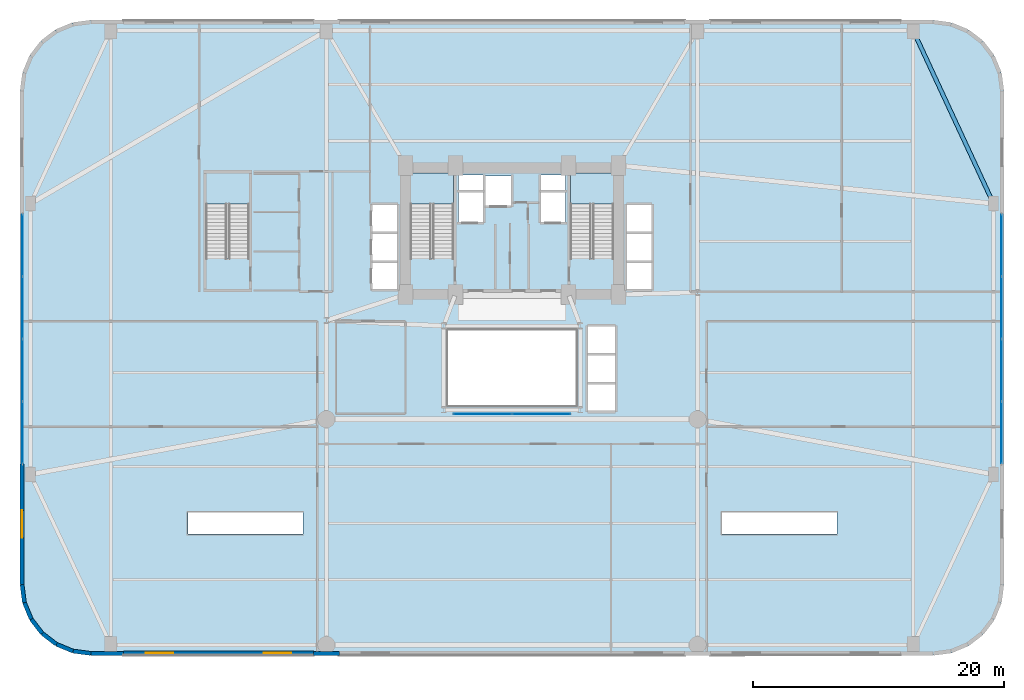
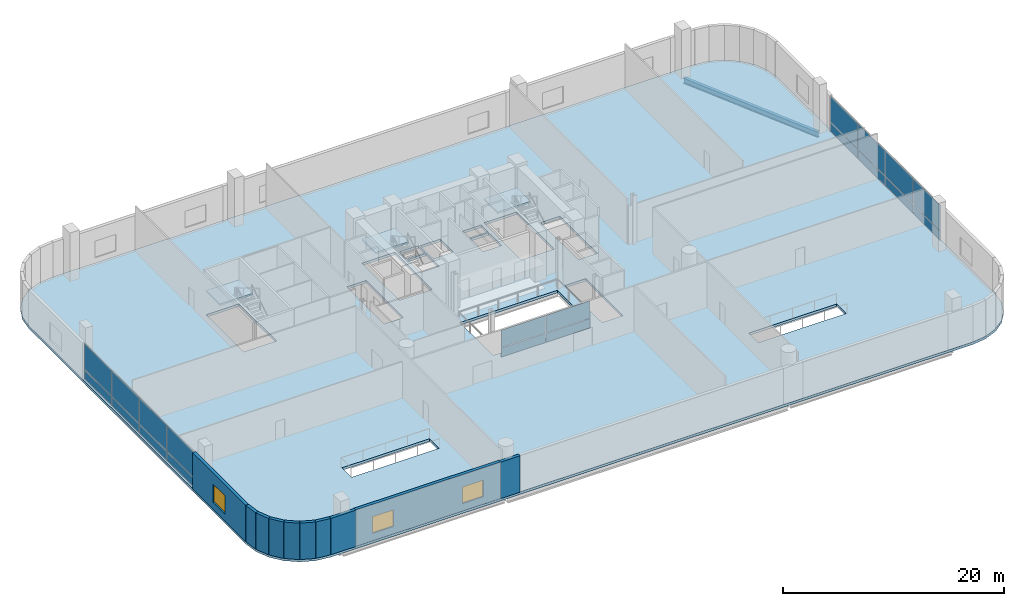
# One storey, part 21 of 31: 20 plates, 10 walls, 4 slabs, 3 windows, 1 beam, 3 openings, 6 elements without a shape of their own.
"""IFC4 building model written with IfcOpenShell, lengths in metres."""

from ifc_helpers import new_model, si_unit, direction, frame, frame_2d, origin, origin_2d, place, context, subcontext, project, spatial, polyline, rectangle, i_section, outline, extrude, source, transform, mapped, material, layer, layer_set, material_profile, profile_set, type_object, element, fill, aggregate, save


model = new_model("IFC4")

# Units and contexts
model_context = context("Model", 3, precision=1e-05, world=origin(), true_north=direction((0.0, 1.0)))
body_context = subcontext(model_context, "Body", "Model", "MODEL_VIEW")
ifc_project = project(units=[si_unit("LENGTHUNIT", "METRE"), si_unit("AREAUNIT", "SQUARE_METRE"), si_unit("VOLUMEUNIT", "CUBIC_METRE"), si_unit("PLANEANGLEUNIT", "RADIAN"), si_unit("MASSUNIT", "GRAM", prefix="KILO")], contexts=[model_context])

# Site, building, storey
site_placement = place(None, origin())
site = spatial("IfcSite", under=ifc_project, at=site_placement, CompositionType="ELEMENT")
building_placement = place(site_placement, origin())
building = spatial("IfcBuilding", under=site, at=building_placement, Name="Varnelok Gate Tower", CompositionType="ELEMENT")
storey_placement = place(building_placement, frame((0.0, 0.0, 16.199951171875)))
storey = spatial("IfcBuildingStorey", under=building, at=storey_placement, Name="L03", CompositionType="ELEMENT", Elevation=16.199951171875)

# Beam
ifc_material_1 = material(Name="Structural Steel ASTM A992 Grade 50", Category="steel")
ifc_material_profile = material_profile(ifc_material_1, i_section(OverallWidth=0.323974609375, OverallDepth=0.611083984375, WebThickness=0.0126953125, FlangeThickness=0.01904296875, FilletRadius=0.01806640625, at=origin_2d()), Name="W24X104")
ifc_profile_set = profile_set([ifc_material_profile], Name="Structural Steel ASTM A992 Grade 50")
beam_type = type_object("IfcBeamType", Name="BM-SPN-W24X104", PredefinedType="SPANDREL", material=ifc_profile_set)
beam_placement = place(storey_placement, frame((77.541015625, 36.126953125, -0.58544921875), z_axis=(-0.420722638096, 0.907189319709, 0.0), x_axis=(-0.907189319709, -0.420722638096, 0.0)))
element("IfcBeam", 1, at=beam_placement, inside=storey, type_object=beam_type, Name="L03 Podium Primary Girder 11", PredefinedType="SPANDREL", context=body_context, shape_type="SweptSolid", body=[
    extrude(i_section(OverallWidth=0.323974609375, OverallDepth=0.611083984375, WebThickness=0.0126953125, FlangeThickness=0.01904296875, FilletRadius=0.01806640625, at=origin_2d()), origin(), (0.0, 0.0, 1.0), 14.931884765625),
])

# Stair, slab
ifc_material_2 = material(Name="Concrete C50/60", Category="concrete")
stair_type = type_object("IfcStairType", Name="STR-CORE-1650", PredefinedType="HALF_TURN_STAIR", material=ifc_material_2)
stair_1_placement = place(storey_placement, origin())
stair_1 = element("IfcStair", 2, at=stair_1_placement, inside=storey, type_object=stair_type, Name="L03 Exit Stair ST-1", PredefinedType="HALF_TURN_STAIR")
ifc_material_3 = material(Name="Concrete C45/55", Category="concrete")
ifc_layer_1 = layer(ifc_material_3, 0.199951171875)
ifc_layer_set_1 = layer_set([ifc_layer_1], Name="Concrete C45/55")
slab_type_1 = type_object("IfcSlabType", Name="SLB-LAND-200", PredefinedType="LANDING", material=ifc_layer_set_1)
slab_1_placement = place(storey_placement, frame((0.0, 0.0, 2.5)))
slab_1 = element("IfcSlab", 3, at=slab_1_placement, type_object=slab_type_1, Name="ST-1 landing 1", PredefinedType="LANDING", context=body_context, shape_type="SweptSolid", body=[
    extrude(outline(polyline([(34.550048828125, 35.949951171875), (34.550048828125, 38.449951171875), (31.10009765625, 38.449951171875), (31.10009765625, 35.949951171875), (34.550048828125, 35.949951171875)])), origin(), (0.0, 0.0, 1.0), 0.199951171875),
])
aggregate(stair_1, [slab_1])

stair_2_placement = place(storey_placement, origin())
stair_2 = element("IfcStair", 4, at=stair_2_placement, inside=storey, type_object=stair_type, Name="L03 Exit Stair ST-2", PredefinedType="HALF_TURN_STAIR")
slab_2_placement = place(storey_placement, frame((0.0, 0.0, 2.5)))
slab_2 = element("IfcSlab", 5, at=slab_2_placement, type_object=slab_type_1, Name="ST-2 landing 1", PredefinedType="LANDING", context=body_context, shape_type="SweptSolid", body=[
    extrude(outline(polyline([(47.300048828125, 35.949951171875), (47.300048828125, 38.449951171875), (43.85009765625, 38.449951171875), (43.85009765625, 35.949951171875), (47.300048828125, 35.949951171875)])), origin(), (0.0, 0.0, 1.0), 0.199951171875),
])
aggregate(stair_2, [slab_2])

stair_3_placement = place(storey_placement, origin())
stair_3 = element("IfcStair", 6, at=stair_3_placement, inside=storey, type_object=stair_type, Name="L03 Podium Exit Stair ST-3", PredefinedType="HALF_TURN_STAIR")
slab_3_placement = place(storey_placement, frame((0.0, 0.0, 2.5)))
slab_3 = element("IfcSlab", 7, at=slab_3_placement, type_object=slab_type_1, Name="ST-3 landing 1", PredefinedType="LANDING", context=body_context, shape_type="SweptSolid", body=[
    extrude(outline(polyline([(18.25, 35.949951171875), (18.25, 38.449951171875), (14.800048828125, 38.449951171875), (14.800048828125, 35.949951171875), (18.25, 35.949951171875)])), origin(), (0.0, 0.0, 1.0), 0.199951171875),
])
aggregate(stair_3, [slab_3])

# Slab
ifc_layer_2 = layer(ifc_material_2, 0.280029296875)
ifc_layer_set_2 = layer_set([ifc_layer_2], Name="Concrete C50/60")
slab_type_2 = type_object("IfcSlabType", Name="SLB-POD-280", PredefinedType="FLOOR", material=ifc_layer_set_2)
slab_4_placement = place(storey_placement, frame((0.0, 0.0, -0.280029296875)))
element("IfcSlab", 8, at=slab_4_placement, inside=storey, type_object=slab_type_2, Name="L03 Structural Floor Slab", PredefinedType="FLOOR", context=body_context, shape_type="SweptSolid", body=[
    extrude(outline(polyline([(0.0, 5.60009765625), (0.19091796875, 4.150634765625), (0.750244140625, 2.800048828125), (1.64013671875, 1.64013671875), (2.800048828125, 0.750244140625), (4.150634765625, 0.19091796875), (5.60009765625, 0.0), (72.800048828125, 0.0), (74.24951171875, 0.19091796875), (75.60009765625, 0.750244140625), (76.759765625, 1.64013671875), (77.649658203125, 2.800048828125), (78.209228515625, 4.150634765625), (78.39990234375, 5.60009765625), (78.39990234375, 45.0), (78.209228515625, 46.449462890625), (77.649658203125, 47.800048828125), (76.759765625, 48.959716796875), (75.60009765625, 49.849609375), (74.24951171875, 50.4091796875), (72.800048828125, 50.60009765625), (5.60009765625, 50.60009765625), (4.150634765625, 50.4091796875), (2.800048828125, 49.849609375), (1.64013671875, 48.959716796875), (0.750244140625, 47.800048828125), (0.19091796875, 46.449462890625), (0.0, 45.0), (0.0, 5.60009765625)]), holes=[polyline([(34.550048828125, 31.679931640625), (34.550048828125, 38.449951171875), (31.10009765625, 38.449951171875), (31.10009765625, 31.679931640625), (34.550048828125, 31.679931640625)]), polyline([(47.300048828125, 31.679931640625), (47.300048828125, 38.449951171875), (43.85009765625, 38.449951171875), (43.85009765625, 31.679931640625), (47.300048828125, 31.679931640625)]), polyline([(18.25, 31.679931640625), (18.25, 38.449951171875), (14.800048828125, 38.449951171875), (14.800048828125, 31.679931640625), (18.25, 31.679931640625)]), polyline([(13.35009765625, 9.635009765625), (22.52001953125, 9.635009765625), (22.52001953125, 11.364990234375), (13.35009765625, 11.364990234375), (13.35009765625, 9.635009765625)]), polyline([(55.949951171875, 9.635009765625), (65.1201171875, 9.635009765625), (65.1201171875, 11.364990234375), (55.949951171875, 11.364990234375), (55.949951171875, 9.635009765625)]), polyline([(34.949951171875, 34.550048828125), (36.89990234375, 34.550048828125), (36.89990234375, 36.89990234375), (34.949951171875, 36.89990234375), (34.949951171875, 34.550048828125)]), polyline([(41.5, 34.550048828125), (43.449951171875, 34.550048828125), (43.449951171875, 36.89990234375), (41.5, 36.89990234375), (41.5, 34.550048828125)]), polyline([(37.050048828125, 35.85009765625), (39.14990234375, 35.85009765625), (39.14990234375, 38.199951171875), (37.050048828125, 38.199951171875), (37.050048828125, 35.85009765625)]), polyline([(28.050048828125, 29.14990234375), (30.050048828125, 29.14990234375), (30.050048828125, 35.89990234375), (28.050048828125, 35.89990234375), (28.050048828125, 29.14990234375)]), polyline([(48.35009765625, 29.14990234375), (50.35009765625, 29.14990234375), (50.35009765625, 35.89990234375), (48.35009765625, 35.89990234375), (48.35009765625, 29.14990234375)]), polyline([(45.25, 19.449951171875), (47.449951171875, 19.449951171875), (47.449951171875, 26.199951171875), (45.25, 26.199951171875), (45.25, 19.449951171875)]), polyline([(34.919921875, 37.080078125), (36.89990234375, 37.080078125), (36.89990234375, 38.280029296875), (34.919921875, 38.280029296875), (34.919921875, 37.080078125)]), polyline([(41.5, 37.080078125), (43.47998046875, 37.080078125), (43.47998046875, 38.280029296875), (41.5, 38.280029296875), (41.5, 37.080078125)]), polyline([(34.10009765625, 19.89990234375), (44.300048828125, 19.89990234375), (44.300048828125, 25.89990234375), (34.10009765625, 25.89990234375), (34.10009765625, 19.89990234375)])]), origin(), (0.0, 0.0, 1.0), 0.280029296875),
])

# Curtain wall, plates
ifc_material_4 = material(Name="Anodized Aluminum Alloy 6063-T6", Category="aluminium")
ifc_layer_3 = layer(ifc_material_4, 0.179931640625)
ifc_layer_set_3 = layer_set([ifc_layer_3], Name="Anodized Aluminum Alloy 6063-T6")
curtain_wall_type_1 = type_object("IfcCurtainWallType", Name="CW1-ARCH-PORTAL", PredefinedType="USERDEFINED", material=ifc_layer_set_3)
curtain_wall_1_placement = place(storey_placement, origin())
curtain_wall_1 = element("IfcCurtainWall", 9, at=curtain_wall_1_placement, inside=storey, type_object=curtain_wall_type_1, Name="L03 Podium Portal Curtain Wall W", ObjectType="UNITISED CURTAIN WALL", PredefinedType="USERDEFINED")
ifc_material_5 = material(Name="Low-E Laminated Double Glazing IGU", Category="glass")
ifc_layer_4 = layer(ifc_material_5, 0.028076171875)
ifc_layer_set_4 = layer_set([ifc_layer_4], Name="Low-E Laminated Double Glazing IGU")
plate_type = type_object("IfcPlateType", Name="CW-PNL-IGU28", PredefinedType="CURTAIN_PANEL", material=ifc_layer_set_4)
shared_shape_1 = source(origin(), body_context, "Body", "SweptSolid", [
    extrude(rectangle(XDim=4.887451171875, YDim=0.028076171875, at=origin_2d()), origin(), (0.0, 0.0, 1.0), 0.987548828125),
])
plate_1_placement = place(storey_placement, frame((0.159912109375, 17.71875, 0.0751953125), z_axis=(0.0, 0.0, 1.0), x_axis=(0.0, 1.0, 0.0)))
plate_1 = element("IfcPlate", 10, at=plate_1_placement, type_object=plate_type, Name="CW1 panel 1.1", PredefinedType="CURTAIN_PANEL", context=body_context, shape_type="MappedRepresentation", body=[
    mapped(shared_shape_1, transform((0.0, 0.0, 0.0), scale=1.0)),
])
plate_2_placement = place(storey_placement, frame((0.159912109375, 32.68115234375, 0.0751953125), z_axis=(0.0, 0.0, 1.0), x_axis=(0.0, 1.0, 0.0)))
plate_2 = element("IfcPlate", 11, at=plate_2_placement, type_object=plate_type, Name="CW1 panel 4.1", PredefinedType="CURTAIN_PANEL", context=body_context, shape_type="MappedRepresentation", body=[
    mapped(shared_shape_1, transform((0.0, 0.0, 0.0), scale=1.0)),
])

curtain_wall_2_placement = place(storey_placement, origin())
curtain_wall_2 = element("IfcCurtainWall", 12, at=curtain_wall_2_placement, inside=storey, type_object=curtain_wall_type_1, Name="L03 Podium Portal Curtain Wall E", ObjectType="UNITISED CURTAIN WALL", PredefinedType="USERDEFINED")
plate_3_placement = place(storey_placement, frame((78.239990234375, 32.68115234375, 0.0751953125), z_axis=(0.0, 0.0, 1.0), x_axis=(0.0, -1.0, 0.0)))
plate_3 = element("IfcPlate", 13, at=plate_3_placement, type_object=plate_type, Name="CW1 panel 1.1", PredefinedType="CURTAIN_PANEL", context=body_context, shape_type="MappedRepresentation", body=[
    mapped(shared_shape_1, transform((0.0, 0.0, 0.0), scale=1.0)),
])
plate_4_placement = place(storey_placement, frame((78.239990234375, 17.71875, 0.0751953125), z_axis=(0.0, 0.0, 1.0), x_axis=(0.0, -1.0, 0.0)))
plate_4 = element("IfcPlate", 14, at=plate_4_placement, type_object=plate_type, Name="CW1 panel 4.1", PredefinedType="CURTAIN_PANEL", context=body_context, shape_type="MappedRepresentation", body=[
    mapped(shared_shape_1, transform((0.0, 0.0, 0.0), scale=1.0)),
])

# Plate
shared_shape_2 = source(origin(), body_context, "Body", "SweptSolid", [
    extrude(rectangle(XDim=4.925048828125, YDim=0.028076171875, at=origin_2d()), origin(), (0.0, 0.0, 1.0), 0.987548828125),
])
plate_5_placement = place(storey_placement, frame((0.159912109375, 22.699951171875, 0.0751953125), z_axis=(0.0, 0.0, 1.0), x_axis=(0.0, 1.0, 0.0)))
plate_5 = element("IfcPlate", 15, at=plate_5_placement, type_object=plate_type, Name="CW1 panel 2.1", PredefinedType="CURTAIN_PANEL", context=body_context, shape_type="MappedRepresentation", body=[
    mapped(shared_shape_2, transform((0.0, 0.0, 0.0), scale=1.0)),
])

plate_6_placement = place(storey_placement, frame((0.159912109375, 27.699951171875, 0.0751953125), z_axis=(0.0, 0.0, 1.0), x_axis=(0.0, 1.0, 0.0)))
plate_6 = element("IfcPlate", 16, at=plate_6_placement, type_object=plate_type, Name="CW1 panel 3.1", PredefinedType="CURTAIN_PANEL", context=body_context, shape_type="MappedRepresentation", body=[
    mapped(shared_shape_2, transform((0.0, 0.0, 0.0), scale=1.0)),
])

plate_7_placement = place(storey_placement, frame((78.239990234375, 27.699951171875, 0.0751953125), z_axis=(0.0, 0.0, 1.0), x_axis=(0.0, -1.0, 0.0)))
plate_7 = element("IfcPlate", 17, at=plate_7_placement, type_object=plate_type, Name="CW1 panel 2.1", PredefinedType="CURTAIN_PANEL", context=body_context, shape_type="MappedRepresentation", body=[
    mapped(shared_shape_2, transform((0.0, 0.0, 0.0), scale=1.0)),
])

plate_8_placement = place(storey_placement, frame((78.239990234375, 22.699951171875, 0.0751953125), z_axis=(0.0, 0.0, 1.0), x_axis=(0.0, -1.0, 0.0)))
plate_8 = element("IfcPlate", 18, at=plate_8_placement, type_object=plate_type, Name="CW1 panel 3.1", PredefinedType="CURTAIN_PANEL", context=body_context, shape_type="MappedRepresentation", body=[
    mapped(shared_shape_2, transform((0.0, 0.0, 0.0), scale=1.0)),
])

# Curtain wall, plates
ifc_layer_5 = layer(ifc_material_4, 0.179931640625)
ifc_layer_set_5 = layer_set([ifc_layer_5], Name="Anodized Aluminum Alloy 6063-T6")
curtain_wall_type_2 = type_object("IfcCurtainWallType", Name="CW2-ATRIUM-GLAZING", PredefinedType="USERDEFINED", material=ifc_layer_set_5)
curtain_wall_3_placement = place(storey_placement, origin())
curtain_wall_3 = element("IfcCurtainWall", 19, at=curtain_wall_3_placement, inside=storey, type_object=curtain_wall_type_2, Name="L03 Internal Atrium Gallery Curtain Wall", ObjectType="UNITISED CURTAIN WALL", PredefinedType="USERDEFINED")
shared_shape_3 = source(origin(), body_context, "Body", "SweptSolid", [
    extrude(rectangle(XDim=4.6025390625, YDim=0.028076171875, at=origin_2d()), origin(), (0.0, 0.0, 1.0), 1.00244140625),
])
plate_9_placement = place(storey_placement, frame((36.8662109375, 19.219970703125, 0.065185546875), z_axis=(0.0, 0.0, 1.0), x_axis=(1.0, 0.0, 0.0)))
plate_9 = element("IfcPlate", 20, at=plate_9_placement, type_object=plate_type, Name="CW2 panel 1.1", PredefinedType="CURTAIN_PANEL", context=body_context, shape_type="MappedRepresentation", body=[
    mapped(shared_shape_3, transform((0.0, 0.0, 0.0), scale=1.0)),
])
plate_10_placement = place(storey_placement, frame((41.53369140625, 19.219970703125, 0.065185546875), z_axis=(0.0, 0.0, 1.0), x_axis=(1.0, 0.0, 0.0)))
plate_10 = element("IfcPlate", 21, at=plate_10_placement, type_object=plate_type, Name="CW2 panel 2.1", PredefinedType="CURTAIN_PANEL", context=body_context, shape_type="MappedRepresentation", body=[
    mapped(shared_shape_3, transform((0.0, 0.0, 0.0), scale=1.0)),
])
shared_shape_4 = source(origin(), body_context, "Body", "SweptSolid", [
    extrude(rectangle(XDim=4.6025390625, YDim=0.028076171875, at=origin_2d()), origin(), (0.0, 0.0, 1.0), 1.902587890625),
])
plate_11_placement = place(storey_placement, frame((36.8662109375, 19.219970703125, 1.13232421875), z_axis=(0.0, 0.0, 1.0), x_axis=(1.0, 0.0, 0.0)))
plate_11 = element("IfcPlate", 22, at=plate_11_placement, type_object=plate_type, Name="CW2 panel 1.2", PredefinedType="CURTAIN_PANEL", context=body_context, shape_type="MappedRepresentation", body=[
    mapped(shared_shape_4, transform((0.0, 0.0, 0.0), scale=1.0)),
])
plate_12_placement = place(storey_placement, frame((41.53369140625, 19.219970703125, 1.13232421875), z_axis=(0.0, 0.0, 1.0), x_axis=(1.0, 0.0, 0.0)))
plate_12 = element("IfcPlate", 23, at=plate_12_placement, type_object=plate_type, Name="CW2 panel 2.2", PredefinedType="CURTAIN_PANEL", context=body_context, shape_type="MappedRepresentation", body=[
    mapped(shared_shape_4, transform((0.0, 0.0, 0.0), scale=1.0)),
])
aggregate(curtain_wall_3, [plate_9, plate_11, plate_10, plate_12])

# Plate
shared_shape_5 = source(origin(), body_context, "Body", "SweptSolid", [
    extrude(rectangle(XDim=4.887451171875, YDim=0.028076171875, at=origin_2d()), origin(), (0.0, 0.0, 1.0), 2.8173828125),
])
plate_13_placement = place(storey_placement, frame((0.159912109375, 17.71875, 1.1376953125), z_axis=(0.0, 0.0, 1.0), x_axis=(0.0, 1.0, 0.0)))
plate_13 = element("IfcPlate", 24, at=plate_13_placement, type_object=plate_type, Name="CW1 panel 1.2", PredefinedType="CURTAIN_PANEL", context=body_context, shape_type="MappedRepresentation", body=[
    mapped(shared_shape_5, transform((0.0, 0.0, 0.0), scale=1.0)),
])

plate_14_placement = place(storey_placement, frame((0.159912109375, 32.68115234375, 1.1376953125), z_axis=(0.0, 0.0, 1.0), x_axis=(0.0, 1.0, 0.0)))
plate_14 = element("IfcPlate", 25, at=plate_14_placement, type_object=plate_type, Name="CW1 panel 4.2", PredefinedType="CURTAIN_PANEL", context=body_context, shape_type="MappedRepresentation", body=[
    mapped(shared_shape_5, transform((0.0, 0.0, 0.0), scale=1.0)),
])

plate_15_placement = place(storey_placement, frame((78.239990234375, 32.68115234375, 1.1376953125), z_axis=(0.0, 0.0, 1.0), x_axis=(0.0, -1.0, 0.0)))
plate_15 = element("IfcPlate", 26, at=plate_15_placement, type_object=plate_type, Name="CW1 panel 1.2", PredefinedType="CURTAIN_PANEL", context=body_context, shape_type="MappedRepresentation", body=[
    mapped(shared_shape_5, transform((0.0, 0.0, 0.0), scale=1.0)),
])

plate_16_placement = place(storey_placement, frame((78.239990234375, 17.71875, 1.1376953125), z_axis=(0.0, 0.0, 1.0), x_axis=(0.0, -1.0, 0.0)))
plate_16 = element("IfcPlate", 27, at=plate_16_placement, type_object=plate_type, Name="CW1 panel 4.2", PredefinedType="CURTAIN_PANEL", context=body_context, shape_type="MappedRepresentation", body=[
    mapped(shared_shape_5, transform((0.0, 0.0, 0.0), scale=1.0)),
])

shared_shape_6 = source(origin(), body_context, "Body", "SweptSolid", [
    extrude(rectangle(XDim=4.925048828125, YDim=0.028076171875, at=origin_2d()), origin(), (0.0, 0.0, 1.0), 2.8173828125),
])
plate_17_placement = place(storey_placement, frame((0.159912109375, 22.699951171875, 1.1376953125), z_axis=(0.0, 0.0, 1.0), x_axis=(0.0, 1.0, 0.0)))
plate_17 = element("IfcPlate", 28, at=plate_17_placement, type_object=plate_type, Name="CW1 panel 2.2", PredefinedType="CURTAIN_PANEL", context=body_context, shape_type="MappedRepresentation", body=[
    mapped(shared_shape_6, transform((0.0, 0.0, 0.0), scale=1.0)),
])

plate_18_placement = place(storey_placement, frame((0.159912109375, 27.699951171875, 1.1376953125), z_axis=(0.0, 0.0, 1.0), x_axis=(0.0, 1.0, 0.0)))
plate_18 = element("IfcPlate", 29, at=plate_18_placement, type_object=plate_type, Name="CW1 panel 3.2", PredefinedType="CURTAIN_PANEL", context=body_context, shape_type="MappedRepresentation", body=[
    mapped(shared_shape_6, transform((0.0, 0.0, 0.0), scale=1.0)),
])

aggregate(curtain_wall_1, [plate_1, plate_13, plate_5, plate_17, plate_6, plate_18, plate_2, plate_14])

plate_19_placement = place(storey_placement, frame((78.239990234375, 27.699951171875, 1.1376953125), z_axis=(0.0, 0.0, 1.0), x_axis=(0.0, -1.0, 0.0)))
plate_19 = element("IfcPlate", 30, at=plate_19_placement, type_object=plate_type, Name="CW1 panel 2.2", PredefinedType="CURTAIN_PANEL", context=body_context, shape_type="MappedRepresentation", body=[
    mapped(shared_shape_6, transform((0.0, 0.0, 0.0), scale=1.0)),
])

plate_20_placement = place(storey_placement, frame((78.239990234375, 22.699951171875, 1.1376953125), z_axis=(0.0, 0.0, 1.0), x_axis=(0.0, -1.0, 0.0)))
plate_20 = element("IfcPlate", 31, at=plate_20_placement, type_object=plate_type, Name="CW1 panel 3.2", PredefinedType="CURTAIN_PANEL", context=body_context, shape_type="MappedRepresentation", body=[
    mapped(shared_shape_6, transform((0.0, 0.0, 0.0), scale=1.0)),
])

aggregate(curtain_wall_2, [plate_3, plate_15, plate_7, plate_19, plate_8, plate_20, plate_4, plate_16])

# Wall, openings, windows
ifc_layer_6 = layer(ifc_material_3, 0.320068359375)
ifc_layer_set_6 = layer_set([ifc_layer_6], Name="Concrete C45/55")
wall_type = type_object("IfcWallType", Name="EW-POD-320", PredefinedType="SOLIDWALL", material=ifc_layer_set_6)
wall_1_placement = place(storey_placement, frame((23.39990234375, 0.159912109375, 0.0), z_axis=(0.0, 0.0, 1.0), x_axis=(-1.0, 0.0, 0.0)))
wall_1 = element("IfcWall", 32, at=wall_1_placement, inside=storey, type_object=wall_type, Name="L03 South Podium Arch Facade Wall 1", PredefinedType="SOLIDWALL", context=body_context, shape_type="SweptSolid", body=[
    extrude(rectangle(XDim=15.199951171875, YDim=0.320068359375, at=frame_2d((7.60009765625, 0.0))), origin(), (0.0, 0.0, 1.0), 4.030029296875),
])
opening_1_placement = place(wall_1_placement, frame((1.800048828125, 0.0, 0.800048828125)))
opening_1 = element("IfcOpeningElement", 33, at=opening_1_placement, cuts=wall_1, Name="Opening WN2", PredefinedType="OPENING", context=body_context, shape_type="SweptSolid", body=[
    extrude(rectangle(XDim=2.199951171875, YDim=1.85009765625, at=frame_2d((1.10009765625, 0.925048828125))), frame((0.0, 0.169921875, 0.0), z_axis=(0.0, -1.0, 0.0), x_axis=(1.0, 0.0, 0.0)), (0.0, 0.0, 1.0), 0.340087890625),
])
opening_2_placement = place(wall_1_placement, frame((11.199951171875, 0.0, 0.800048828125)))
opening_2 = element("IfcOpeningElement", 34, at=opening_2_placement, cuts=wall_1, Name="Opening WN2", PredefinedType="OPENING", context=body_context, shape_type="SweptSolid", body=[
    extrude(rectangle(XDim=2.199951171875, YDim=1.85009765625, at=frame_2d((1.10009765625, 0.925048828125))), frame((0.0, 0.169921875, 0.0), z_axis=(0.0, -1.0, 0.0), x_axis=(1.0, 0.0, 0.0)), (0.0, 0.0, 1.0), 0.340087890625),
])
window_type_1 = type_object("IfcWindowType", Name="WN-POD-2200", PartitioningType="SINGLE_PANEL", PredefinedType="WINDOW", material=ifc_material_5)
window_1_placement = place(opening_1_placement, origin())
window_1 = element("IfcWindow", 35, at=window_1_placement, inside=storey, type_object=window_type_1, Name="L03 Podium Arch Facade Window S1.1", OverallHeight=1.85009765625, OverallWidth=2.199951171875, PartitioningType="SINGLE_PANEL", PredefinedType="WINDOW", context=body_context, shape_type="SweptSolid", body=[
    extrude(rectangle(XDim=2.199951171875, YDim=1.85009765625, at=frame_2d((1.10009765625, 0.925048828125))), frame((0.0, 0.030029296875, 0.0), z_axis=(0.0, -1.0, 0.0), x_axis=(1.0, 0.0, 0.0)), (0.0, 0.0, 1.0), 0.06005859375),
])
fill(opening_1, window_1)
window_2_placement = place(opening_2_placement, origin())
window_2 = element("IfcWindow", 36, at=window_2_placement, inside=storey, type_object=window_type_1, Name="L03 Podium Arch Facade Window S1.2", OverallHeight=1.85009765625, OverallWidth=2.199951171875, PartitioningType="SINGLE_PANEL", PredefinedType="WINDOW", context=body_context, shape_type="SweptSolid", body=[
    extrude(rectangle(XDim=2.199951171875, YDim=1.85009765625, at=frame_2d((1.10009765625, 0.925048828125))), frame((0.0, 0.030029296875, 0.0), z_axis=(0.0, -1.0, 0.0), x_axis=(1.0, 0.0, 0.0)), (0.0, 0.0, 1.0), 0.06005859375),
])
fill(opening_2, window_2)

# Walls
wall_2_placement = place(storey_placement, frame((0.1201171875, 5.60791015625, 0.0), z_axis=(0.0, 0.0, 1.0), x_axis=(0.130362303307, -0.991466423978, 0.0)))
element("IfcWall", 37, at=wall_2_placement, inside=storey, type_object=wall_type, Name="L03 Perimeter Facade Closure Wall 1", PredefinedType="SOLIDWALL", context=body_context, shape_type="SweptSolid", body=[
    extrude(rectangle(XDim=1.438232421875, YDim=0.320068359375, at=frame_2d((0.71923828125, 0.0))), origin(), (0.0, 0.0, 1.0), 4.030029296875),
])
wall_3_placement = place(storey_placement, frame((0.3173828125, 4.15869140625, 0.0), z_axis=(0.0, 0.0, 1.0), x_axis=(0.382628033724, -0.923902477434, 0.0)))
element("IfcWall", 38, at=wall_3_placement, inside=storey, type_object=wall_type, Name="L03 Perimeter Facade Closure Wall 2", PredefinedType="SOLIDWALL", context=body_context, shape_type="SweptSolid", body=[
    extrude(rectangle(XDim=1.405029296875, YDim=0.320068359375, at=frame_2d((0.70263671875, 0.0))), origin(), (0.0, 0.0, 1.0), 4.030029296875),
])
wall_4_placement = place(storey_placement, frame((0.870361328125, 2.8408203125, 0.0), z_axis=(0.0, 0.0, 1.0), x_axis=(0.60871962085, -0.79338541907, 0.0)))
element("IfcWall", 39, at=wall_4_placement, inside=storey, type_object=wall_type, Name="L03 Perimeter Facade Closure Wall 3", PredefinedType="SOLIDWALL", context=body_context, shape_type="SweptSolid", body=[
    extrude(rectangle(XDim=1.4052734375, YDim=0.320068359375, at=frame_2d((0.70263671875, 0.0))), origin(), (0.0, 0.0, 1.0), 4.030029296875),
])
for number, where, z_axis, x_axis, name in (
    (40, (1.74560546875, 1.710693359375, 0.0), (0.0, 0.0, 1.0), (0.793301521807, -0.608828954222, 0.0), "L03 Perimeter Facade Closure Wall 4"),
    (41, (2.883544921875, 0.845703125, 0.0), (0.0, 0.0, 1.0), (0.923805060986, -0.382863173075, 0.0), "L03 Perimeter Facade Closure Wall 5"),
):
    element("IfcWall", number, at=place(storey_placement, frame(where, z_axis=z_axis, x_axis=x_axis)), inside=storey, type_object=wall_type, Name=name, PredefinedType="SOLIDWALL", context=body_context, shape_type="SweptSolid", body=[
        extrude(rectangle(XDim=1.405517578125, YDim=0.320068359375, at=frame_2d((0.70263671875, 0.0))), origin(), (0.0, 0.0, 1.0), 4.030029296875),
    ])
wall_5_placement = place(storey_placement, frame((4.206787109375, 0.304443359375, 0.0), z_axis=(0.0, 0.0, 1.0), x_axis=(0.991457235349, -0.130432168094, 0.0)))
element("IfcWall", 42, at=wall_5_placement, inside=storey, type_object=wall_type, Name="L03 Perimeter Facade Closure Wall 6", PredefinedType="SOLIDWALL", context=body_context, shape_type="SweptSolid", body=[
    extrude(rectangle(XDim=1.4130859375, YDim=0.320068359375, at=frame_2d((0.70654296875, 0.0))), origin(), (0.0, 0.0, 1.0), 4.030029296875),
])
wall_6_placement = place(storey_placement, frame((5.6328125, 0.1201171875, 0.0), z_axis=(0.0, 0.0, 1.0), x_axis=(1.0, 0.0, 0.0)))
element("IfcWall", 43, at=wall_6_placement, inside=storey, type_object=wall_type, Name="L03 Perimeter Facade Closure Wall 7", PredefinedType="SOLIDWALL", context=body_context, shape_type="SweptSolid", body=[
    extrude(rectangle(XDim=2.59716796875, YDim=0.320068359375, at=frame_2d((1.298583984375, 0.0))), origin(), (0.0, 0.0, 1.0), 4.030029296875),
])
wall_7_placement = place(storey_placement, frame((23.3701171875, 0.1201171875, 0.0), z_axis=(0.0, 0.0, 1.0), x_axis=(1.0, 0.0, 0.0)))
element("IfcWall", 44, at=wall_7_placement, inside=storey, type_object=wall_type, Name="L03 Perimeter Facade Closure Wall 8", PredefinedType="SOLIDWALL", context=body_context, shape_type="SweptSolid", body=[
    extrude(rectangle(XDim=2.059814453125, YDim=0.320068359375, at=frame_2d((1.02978515625, 0.0))), origin(), (0.0, 0.0, 1.0), 4.030029296875),
])

# Wall, opening, window
wall_8_placement = place(storey_placement, frame((0.1201171875, 15.22998046875, 0.0), z_axis=(0.0, 0.0, 1.0), x_axis=(0.0, -1.0, 0.0)))
wall_8 = element("IfcWall", 45, at=wall_8_placement, inside=storey, type_object=wall_type, Name="L03 Perimeter Facade Closure Wall 36", PredefinedType="SOLIDWALL", context=body_context, shape_type="SweptSolid", body=[
    extrude(rectangle(XDim=9.59716796875, YDim=0.320068359375, at=frame_2d((4.798583984375, 0.0))), origin(), (0.0, 0.0, 1.0), 4.030029296875),
])
opening_3_placement = place(wall_8_placement, frame((3.698486328125, 0.0, 0.800048828125)))
opening_3 = element("IfcOpeningElement", 46, at=opening_3_placement, cuts=wall_8, Name="Opening WN2A", PredefinedType="OPENING", context=body_context, shape_type="SweptSolid", body=[
    extrude(rectangle(XDim=2.199951171875, YDim=2.0, at=frame_2d((1.10009765625, 1.0))), frame((0.0, 0.169921875, 0.0), z_axis=(0.0, -1.0, 0.0), x_axis=(1.0, 0.0, 0.0)), (0.0, 0.0, 1.0), 0.340087890625),
])
window_type_2 = type_object("IfcWindowType", Name="WN-POD-2200X2000", PartitioningType="SINGLE_PANEL", PredefinedType="WINDOW", material=ifc_material_5)
window_3_placement = place(opening_3_placement, origin())
window_3 = element("IfcWindow", 47, at=window_3_placement, inside=storey, type_object=window_type_2, Name="L03 Perimeter Vision Window 36", OverallHeight=2.0, OverallWidth=2.199951171875, PartitioningType="SINGLE_PANEL", PredefinedType="WINDOW", context=body_context, shape_type="SweptSolid", body=[
    extrude(rectangle(XDim=2.199951171875, YDim=2.0, at=frame_2d((1.10009765625, 1.0))), frame((0.0, 0.030029296875, 0.0), z_axis=(0.0, -1.0, 0.0), x_axis=(1.0, 0.0, 0.0)), (0.0, 0.0, 1.0), 0.06005859375),
])
fill(opening_3, window_3)

save(model, "model.ifc")
